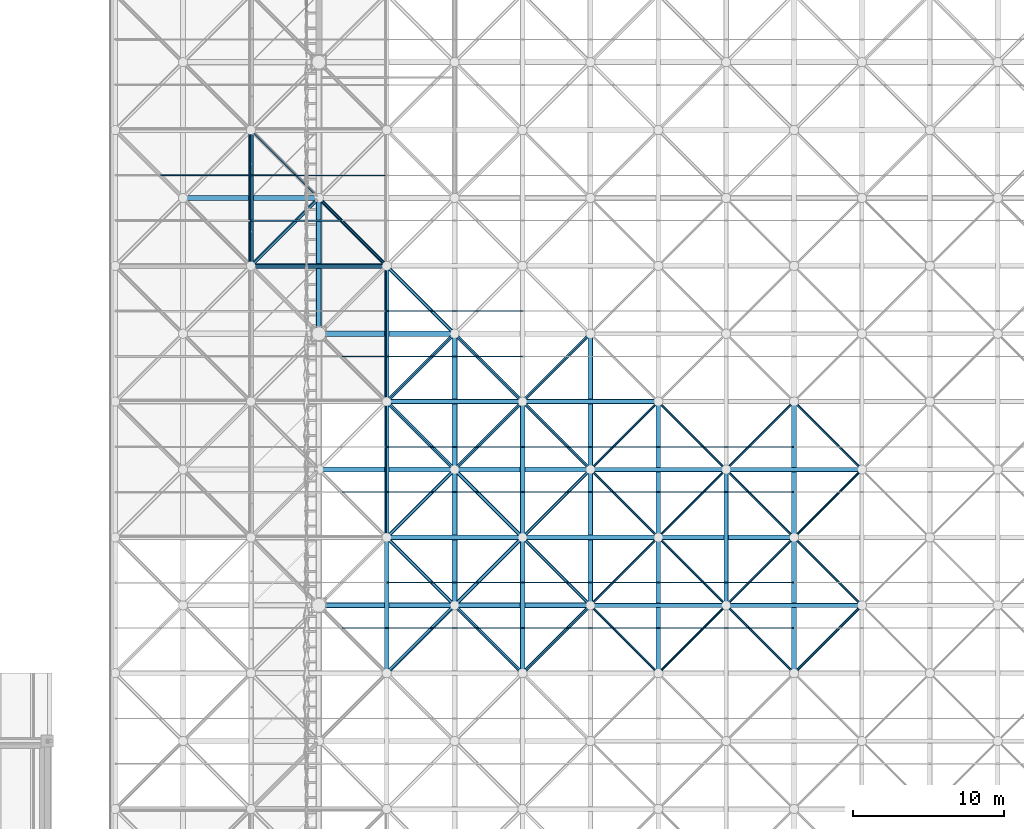
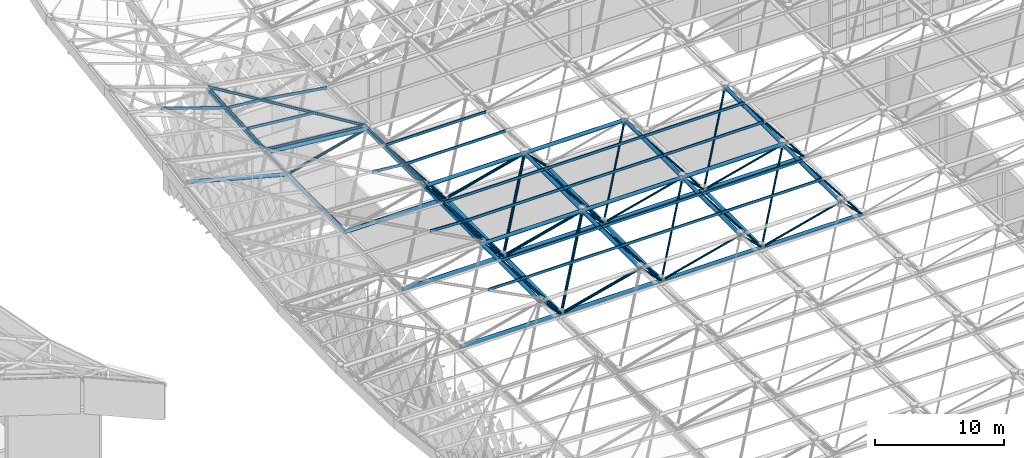
# One storey, part 82 of 437: 92 members.
"""IFC4 building model written with IfcOpenShell, lengths in metres."""

from ifc_helpers import new_model, si_unit, direction, frame, origin, origin_2d, place, context, subcontext, project, spatial, polyline, hollow_circle, outline, extrude, material, material_profile, profile_set, type_object, element, save


model = new_model("IFC4")

# Units and contexts
model_context = context("Model", 3, precision=1e-05, world=origin(), true_north=direction((0.0, 1.0)))
body_context = subcontext(model_context, "Body", "Model", "MODEL_VIEW")
ifc_project = project(units=[si_unit("LENGTHUNIT", "METRE"), si_unit("AREAUNIT", "SQUARE_METRE"), si_unit("VOLUMEUNIT", "CUBIC_METRE"), si_unit("PLANEANGLEUNIT", "RADIAN"), si_unit("MASSUNIT", "GRAM", prefix="KILO")], contexts=[model_context])

# Site, building, storey
site_placement = place(None, origin())
site = spatial("IfcSite", under=ifc_project, at=site_placement, CompositionType="ELEMENT")
building_placement = place(site_placement, origin())
building = spatial("IfcBuilding", under=site, at=building_placement, Name="Opaline Strait Convention Centre", CompositionType="ELEMENT")
storey_placement = place(building_placement, frame((0.0, 0.0, 11.5)))
storey = spatial("IfcBuildingStorey", under=building, at=storey_placement, Name="L02", CompositionType="ELEMENT", Elevation=11.5)

# Members
ifc_material = material(Name="Steel Q355B", Category="steel")
ifc_material_profile_1 = material_profile(ifc_material, outline(polyline([(-0.03759765625, -0.125), (0.03759765625, -0.125), (0.03759765625, -0.10498046875), (0.034912109375, -0.10498046875), (0.034912109375, -0.12255859375), (-0.034912109375, -0.12255859375), (-0.034912109375, 0.12255859375), (0.034912109375, 0.12255859375), (0.034912109375, 0.10498046875), (0.03759765625, 0.10498046875), (0.03759765625, 0.125), (-0.03759765625, 0.125), (-0.03759765625, -0.125)])), Name="C 250x75x20x2.5")
ifc_profile_set_1 = profile_set([ifc_material_profile_1], Name="Steel Q355B")
member_type_1 = type_object("IfcMemberType", Name="Roof purlin C 250x75x20x2.5", PredefinedType="PURLIN", material=ifc_profile_set_1)
member_1_placement = place(storey_placement, frame((100.550048828125, 106.5, 18.278564453125), z_axis=(0.999973480305, 0.0, -0.007282766388), x_axis=(0.0, 1.0, 0.0)))
element("IfcMember", 1, at=member_1_placement, inside=storey, type_object=member_type_1, Name="EXB-RF-P-1-7-0a", PredefinedType="PURLIN", context=body_context, shape_type="SweptSolid", body=[
    extrude(outline(polyline([(-0.03759765625, -0.125), (0.03759765625, -0.125), (0.03759765625, -0.10498046875), (0.034912109375, -0.10498046875), (0.034912109375, -0.12255859375), (-0.034912109375, -0.12255859375), (-0.034912109375, 0.12255859375), (0.034912109375, 0.12255859375), (0.034912109375, 0.10498046875), (0.03759765625, 0.10498046875), (0.03759765625, 0.125), (-0.03759765625, 0.125), (-0.03759765625, -0.125)])), origin(), (0.0, 0.0, 1.0), 2.949951171875),
])
for number, where, z_axis, x_axis, name in (
    (2, (103.5, 106.5, 18.257080078125), (1.0, 0.0, 0.0), (0.0, 1.0, 0.0), "EXB-RF-P-2-7-0"),
    (3, (103.5, 109.5, 18.257080078125), (1.0, 0.0, 0.0), (0.0, 1.0, 0.0), "EXB-RF-P-2-7-1"),
    (4, (112.5, 106.5, 18.257080078125), (1.0, 0.0, 0.0), (0.0, 1.0, 0.0), "EXB-RF-P-3-7-0"),
    (5, (112.5, 109.5, 18.257080078125), (1.0, 0.0, 0.0), (0.0, 1.0, 0.0), "EXB-RF-P-3-7-1"),
    (6, (121.5, 106.5, 18.257080078125), (1.0, 0.0, 0.0), (0.0, 1.0, 0.0), "EXB-RF-P-4-7-0"),
    (7, (121.5, 109.5, 18.257080078125), (1.0, 0.0, 0.0), (0.0, 1.0, 0.0), "EXB-RF-P-4-7-1"),
):
    element("IfcMember", number, at=place(storey_placement, frame(where, z_axis=z_axis, x_axis=x_axis)), inside=storey, type_object=member_type_1, Name=name, PredefinedType="PURLIN", context=body_context, shape_type="SweptSolid", body=[
        extrude(outline(polyline([(-0.03759765625, -0.125), (0.03759765625, -0.125), (0.03759765625, -0.10498046875), (0.034912109375, -0.10498046875), (0.034912109375, -0.12255859375), (-0.034912109375, -0.12255859375), (-0.034912109375, 0.12255859375), (0.034912109375, 0.12255859375), (0.034912109375, 0.10498046875), (0.03759765625, 0.10498046875), (0.03759765625, 0.125), (-0.03759765625, 0.125), (-0.03759765625, -0.125)])), origin(), (0.0, 0.0, 1.0), 9.0),
    ])
member_2_placement = place(storey_placement, frame((103.45458984375, 112.449951171875, 18.259033203125), z_axis=(0.0, 1.0, 0.0), x_axis=(-0.999004644434, 0.0, 0.044606282058)))
element("IfcMember", 8, at=member_2_placement, inside=storey, type_object=member_type_1, Name="EXB-RF-E-1-8a", PredefinedType="PURLIN", context=body_context, shape_type="SweptSolid", body=[
    extrude(outline(polyline([(-0.03759765625, -0.125), (0.03759765625, -0.125), (0.03759765625, -0.10498046875), (0.034912109375, -0.10498046875), (0.034912109375, -0.12255859375), (-0.034912109375, -0.12255859375), (-0.034912109375, 0.12255859375), (0.034912109375, 0.12255859375), (0.034912109375, 0.10498046875), (0.03759765625, 0.10498046875), (0.03759765625, 0.125), (-0.03759765625, 0.125), (-0.03759765625, -0.125)])), origin(), (0.0, 0.0, 1.0), 9.10009765625),
])
member_3_placement = place(storey_placement, frame((100.550048828125, 115.5, 18.388916015625), z_axis=(0.99900431847, 0.0, -0.044613581762), x_axis=(0.0, 1.0, 0.0)))
element("IfcMember", 9, at=member_3_placement, inside=storey, type_object=member_type_1, Name="EXB-RF-P-1-8-0a", PredefinedType="PURLIN", context=body_context, shape_type="SweptSolid", body=[
    extrude(outline(polyline([(-0.03759765625, -0.125), (0.03759765625, -0.125), (0.03759765625, -0.10498046875), (0.034912109375, -0.10498046875), (0.034912109375, -0.12255859375), (-0.034912109375, -0.12255859375), (-0.034912109375, 0.12255859375), (0.034912109375, 0.12255859375), (0.034912109375, 0.10498046875), (0.03759765625, 0.10498046875), (0.03759765625, 0.125), (-0.03759765625, 0.125), (-0.03759765625, -0.125)])), origin(), (0.0, 0.0, 1.0), 2.873046875),
])
for number, where, z_axis, x_axis, name in (
    (10, (103.5, 115.5, 18.257080078125), (1.0, 0.0, 0.0), (0.0, 1.0, 0.0), "EXB-RF-P-2-8-0"),
    (11, (103.5, 118.5, 18.257080078125), (1.0, 0.0, 0.0), (0.0, 1.0, 0.0), "EXB-RF-P-2-8-1"),
    (12, (112.5, 115.5, 18.257080078125), (1.0, 0.0, 0.0), (0.0, 1.0, 0.0), "EXB-RF-P-3-8-0"),
    (13, (112.5, 118.5, 18.257080078125), (1.0, 0.0, 0.0), (0.0, 1.0, 0.0), "EXB-RF-P-3-8-1"),
    (14, (121.5, 115.5, 18.257080078125), (1.0, 0.0, 0.0), (0.0, 1.0, 0.0), "EXB-RF-P-4-8-0"),
    (15, (121.5, 118.5, 18.257080078125), (1.0, 0.0, 0.0), (0.0, 1.0, 0.0), "EXB-RF-P-4-8-1"),
):
    element("IfcMember", number, at=place(storey_placement, frame(where, z_axis=z_axis, x_axis=x_axis)), inside=storey, type_object=member_type_1, Name=name, PredefinedType="PURLIN", context=body_context, shape_type="SweptSolid", body=[
        extrude(outline(polyline([(-0.03759765625, -0.125), (0.03759765625, -0.125), (0.03759765625, -0.10498046875), (0.034912109375, -0.10498046875), (0.034912109375, -0.12255859375), (-0.034912109375, -0.12255859375), (-0.034912109375, 0.12255859375), (0.034912109375, 0.12255859375), (0.034912109375, 0.10498046875), (0.03759765625, 0.10498046875), (0.03759765625, 0.125), (-0.03759765625, 0.125), (-0.03759765625, -0.125)])), origin(), (0.0, 0.0, 1.0), 9.0),
    ])
member_4_placement = place(storey_placement, frame((103.4482421875, 121.449951171875, 18.2626953125), z_axis=(0.0, 1.0, 0.0), x_axis=(-0.995149078082, 0.0, 0.098378414266)))
element("IfcMember", 16, at=member_4_placement, inside=storey, type_object=member_type_1, Name="EXB-RF-E-1-9a", PredefinedType="PURLIN", context=body_context, shape_type="SweptSolid", body=[
    extrude(outline(polyline([(-0.03759765625, -0.125), (0.03759765625, -0.125), (0.03759765625, -0.10498046875), (0.034912109375, -0.10498046875), (0.034912109375, -0.12255859375), (-0.034912109375, -0.12255859375), (-0.034912109375, 0.12255859375), (0.034912109375, 0.12255859375), (0.034912109375, 0.10498046875), (0.03759765625, 0.10498046875), (0.03759765625, 0.125), (-0.03759765625, 0.125), (-0.03759765625, -0.125)])), origin(), (0.0, 0.0, 1.0), 9.10009765625),
])
member_5_placement = place(storey_placement, frame((100.550048828125, 124.5, 18.54931640625), z_axis=(0.995144966284, 0.0, -0.098419998371), x_axis=(0.0, 1.0, 0.0)))
element("IfcMember", 17, at=member_5_placement, inside=storey, type_object=member_type_1, Name="EXB-RF-P-1-9-0a", PredefinedType="PURLIN", context=body_context, shape_type="SweptSolid", body=[
    extrude(outline(polyline([(-0.03759765625, -0.125), (0.03759765625, -0.125), (0.03759765625, -0.10498046875), (0.034912109375, -0.10498046875), (0.034912109375, -0.12255859375), (-0.034912109375, -0.12255859375), (-0.034912109375, 0.12255859375), (0.034912109375, 0.12255859375), (0.034912109375, 0.10498046875), (0.03759765625, 0.10498046875), (0.03759765625, 0.125), (-0.03759765625, 0.125), (-0.03759765625, -0.125)])), origin(), (0.0, 0.0, 1.0), 2.87744140625),
])
for number, where, z_axis, x_axis, name in (
    (18, (103.5, 124.5, 18.257080078125), (1.0, 0.0, 0.0), (0.0, 1.0, 0.0), "EXB-RF-P-2-9-0"),
    (19, (103.5, 127.5, 18.257080078125), (1.0, 0.0, 0.0), (0.0, 1.0, 0.0), "EXB-RF-P-2-9-1"),
):
    element("IfcMember", number, at=place(storey_placement, frame(where, z_axis=z_axis, x_axis=x_axis)), inside=storey, type_object=member_type_1, Name=name, PredefinedType="PURLIN", context=body_context, shape_type="SweptSolid", body=[
        extrude(outline(polyline([(-0.03759765625, -0.125), (0.03759765625, -0.125), (0.03759765625, -0.10498046875), (0.034912109375, -0.10498046875), (0.034912109375, -0.12255859375), (-0.034912109375, -0.12255859375), (-0.034912109375, 0.12255859375), (0.034912109375, 0.12255859375), (0.034912109375, 0.10498046875), (0.03759765625, 0.10498046875), (0.03759765625, 0.125), (-0.03759765625, 0.125), (-0.03759765625, -0.125)])), origin(), (0.0, 0.0, 1.0), 9.0),
    ])
member_6_placement = place(storey_placement, frame((94.421630859375, 130.449951171875, 19.177490234375), z_axis=(0.0, 0.998386467892, 0.056784335245), x_axis=(-0.947231539522, -0.018202228232, 0.320032950527)))
element("IfcMember", 20, at=member_6_placement, inside=storey, type_object=member_type_1, Name="EXB-RF-E-0-10a", PredefinedType="PURLIN", context=body_context, shape_type="SweptSolid", body=[
    extrude(outline(polyline([(-0.03759765625, -0.125), (0.03759765625, -0.125), (0.03759765625, -0.10498046875), (0.034912109375, -0.10498046875), (0.034912109375, -0.12255859375), (-0.034912109375, -0.12255859375), (-0.034912109375, 0.12255859375), (0.034912109375, 0.12255859375), (0.034912109375, 0.10498046875), (0.03759765625, 0.10498046875), (0.03759765625, 0.125), (-0.03759765625, 0.125), (-0.03759765625, -0.125)])), origin(), (0.0, 0.0, 1.0), 9.11474609375),
])
member_7_placement = place(storey_placement, frame((88.550048828125, 136.5, 21.511474609375), z_axis=(0.947082821832, 0.0, -0.320989296692), x_axis=(0.018222388517, 0.99838731392, 0.053765378829)))
element("IfcMember", 21, at=member_7_placement, inside=storey, type_object=member_type_1, Name="EXB-RF-P-0-10-1a", PredefinedType="PURLIN", context=body_context, shape_type="SweptSolid", body=[
    extrude(outline(polyline([(-0.03759765625, -0.125), (0.03759765625, -0.125), (0.03759765625, -0.10498046875), (0.034912109375, -0.10498046875), (0.034912109375, -0.12255859375), (-0.034912109375, -0.12255859375), (-0.034912109375, 0.12255859375), (0.034912109375, 0.12255859375), (0.034912109375, 0.10498046875), (0.03759765625, 0.10498046875), (0.03759765625, 0.125), (-0.03759765625, 0.125), (-0.03759765625, -0.125)])), origin(), (0.0, 0.0, 1.0), 6.1630859375),
])
member_8_placement = place(storey_placement, frame((103.5, 130.5, 18.255859375), z_axis=(-0.702857973456, 0.702857973456, 0.10945929974), x_axis=(-0.704515187221, -0.709082641772, 0.029328452286)))
element("IfcMember", 22, at=member_8_placement, inside=storey, type_object=member_type_1, Name="EXB-RF-F-1-10", PredefinedType="PURLIN", context=body_context, shape_type="SweptSolid", body=[
    extrude(outline(polyline([(-0.03759765625, -0.125), (0.03759765625, -0.125), (0.03759765625, -0.10498046875), (0.034912109375, -0.10498046875), (0.034912109375, -0.12255859375), (-0.034912109375, -0.12255859375), (-0.034912109375, 0.12255859375), (0.034912109375, 0.12255859375), (0.034912109375, 0.10498046875), (0.03759765625, 0.10498046875), (0.03759765625, 0.125), (-0.03759765625, 0.125), (-0.03759765625, -0.125)])), origin(), (0.0, 0.0, 1.0), 12.804931640625),
])
member_9_placement = place(storey_placement, frame((97.550048828125, 136.5, 19.18505859375), z_axis=(0.988090041888, 0.0, -0.15387679852), x_axis=(0.0, 1.0, 0.0)))
element("IfcMember", 23, at=member_9_placement, inside=storey, type_object=member_type_1, Name="EXB-RF-P-1-10-1a", PredefinedType="PURLIN", context=body_context, shape_type="SweptSolid", body=[
    extrude(outline(polyline([(-0.03759765625, -0.125), (0.03759765625, -0.125), (0.03759765625, -0.10498046875), (0.034912109375, -0.10498046875), (0.034912109375, -0.12255859375), (-0.034912109375, -0.12255859375), (-0.034912109375, 0.12255859375), (0.034912109375, 0.12255859375), (0.034912109375, 0.10498046875), (0.03759765625, 0.10498046875), (0.03759765625, 0.125), (-0.03759765625, 0.125), (-0.03759765625, -0.125)])), origin(), (0.0, 0.0, 1.0), 5.927490234375),
])
member_10_placement = place(storey_placement, frame((103.550048828125, 130.546875, 18.25537109375), z_axis=(-0.99514863855, 0.0, 0.098382860253), x_axis=(-0.005558054974, -0.998402930819, -0.056220065425)))
element("IfcMember", 24, at=member_10_placement, inside=storey, type_object=member_type_1, Name="EXB-RF-E-1-10b", PredefinedType="PURLIN", context=body_context, shape_type="SweptSolid", body=[
    extrude(outline(polyline([(-0.03759765625, -0.125), (0.03759765625, -0.125), (0.03759765625, -0.10498046875), (0.034912109375, -0.10498046875), (0.034912109375, -0.12255859375), (-0.034912109375, -0.12255859375), (-0.034912109375, 0.12255859375), (0.034912109375, 0.12255859375), (0.034912109375, 0.10498046875), (0.03759765625, 0.10498046875), (0.03759765625, 0.125), (-0.03759765625, 0.125), (-0.03759765625, -0.125)])), origin(), (0.0, 0.0, 1.0), 9.14453125),
])
member_11_placement = place(storey_placement, frame((94.5, 133.5, 19.31787109375), z_axis=(0.995150147401, 0.0, -0.098367596943), x_axis=(0.0055842752, 0.99838731392, 0.056494134867)))
element("IfcMember", 25, at=member_11_placement, inside=storey, type_object=member_type_1, Name="EXB-RF-P-1-10-0b", PredefinedType="PURLIN", context=body_context, shape_type="SweptSolid", body=[
    extrude(outline(polyline([(-0.03759765625, -0.125), (0.03759765625, -0.125), (0.03759765625, -0.10498046875), (0.034912109375, -0.10498046875), (0.034912109375, -0.12255859375), (-0.034912109375, -0.12255859375), (-0.034912109375, 0.12255859375), (0.034912109375, 0.12255859375), (0.034912109375, 0.10498046875), (0.03759765625, 0.10498046875), (0.03759765625, 0.125), (-0.03759765625, 0.125), (-0.03759765625, -0.125)])), origin(), (0.0, 0.0, 1.0), 5.97900390625),
])
member_12_placement = place(storey_placement, frame((94.5, 136.5, 19.488525390625), z_axis=(0.995153115332, 0.0, -0.098337566805), x_axis=(0.005582570405, 0.99838731392, 0.056494303355)))
element("IfcMember", 26, at=member_12_placement, inside=storey, type_object=member_type_1, Name="EXB-RF-P-1-10-1b", PredefinedType="PURLIN", context=body_context, shape_type="SweptSolid", body=[
    extrude(outline(polyline([(-0.03759765625, -0.125), (0.03759765625, -0.125), (0.03759765625, -0.10498046875), (0.034912109375, -0.10498046875), (0.034912109375, -0.12255859375), (-0.034912109375, -0.12255859375), (-0.034912109375, 0.12255859375), (0.034912109375, 0.12255859375), (0.034912109375, 0.10498046875), (0.03759765625, 0.10498046875), (0.03759765625, 0.125), (-0.03759765625, 0.125), (-0.03759765625, -0.125)])), origin(), (0.0, 0.0, 1.0), 2.96435546875),
])
ifc_material_profile_2 = material_profile(ifc_material, hollow_circle(Radius=0.1494140625, WallThickness=0.010009765625, at=origin_2d()), Name="CHS 299x10")
ifc_profile_set_2 = profile_set([ifc_material_profile_2], Name="Steel Q355B")
member_type_2 = type_object("IfcMemberType", Name="Space frame bottom chord CHS 299x10", PredefinedType="CHORD", material=ifc_profile_set_2)
for number, where, z_axis, x_axis, name in (
    (27, (116.949951171875, 108.0, 12.5), (1.0, 0.0, 0.0), (0.0, 1.0, 0.0), "EXB-RF-BX-3-7"),
    (28, (125.949951171875, 108.0, 12.5), (1.0, 0.0, 0.0), (0.0, 1.0, 0.0), "EXB-RF-BX-4-7"),
    (29, (116.949951171875, 117.0, 12.5), (1.0, 0.0, 0.0), (0.0, 1.0, 0.0), "EXB-RF-BX-3-8"),
    (30, (125.949951171875, 117.0, 12.5), (1.0, 0.0, 0.0), (0.0, 1.0, 0.0), "EXB-RF-BX-4-8"),
    (31, (126.0, 107.949951171875, 12.5), (0.0, 1.0, 0.0), (-1.0, 0.0, 0.0), "EXB-RF-BY-4-7"),
):
    element("IfcMember", number, at=place(storey_placement, frame(where, z_axis=z_axis, x_axis=x_axis)), inside=storey, type_object=member_type_2, Name=name, PredefinedType="CHORD", context=body_context, shape_type="SweptSolid", body=[
        extrude(hollow_circle(Radius=0.1494140625, WallThickness=0.010009765625, at=origin_2d()), origin(), (0.0, 0.0, 1.0), 9.10009765625),
    ])
ifc_material_profile_3 = material_profile(ifc_material, hollow_circle(Radius=0.16259765625, WallThickness=0.013916015625, at=origin_2d()), Name="CHS 325x14")
ifc_profile_set_3 = profile_set([ifc_material_profile_3], Name="Steel Q355B")
member_type_3 = type_object("IfcMemberType", Name="Space frame bottom chord CHS 325x14", PredefinedType="CHORD", material=ifc_profile_set_3)
for number, where, z_axis, x_axis, name in (
    (32, (107.949951171875, 117.0, 12.5), (1.0, 0.0, 0.0), (0.0, 1.0, 0.0), "EXB-RF-BX-2-8"),
    (33, (117.0, 107.949951171875, 12.5), (0.0, 1.0, 0.0), (-1.0, 0.0, 0.0), "EXB-RF-BY-3-7"),
    (34, (117.0, 116.949951171875, 12.5), (0.0, 1.0, 0.0), (-1.0, 0.0, 0.0), "EXB-RF-BY-3-8"),
):
    element("IfcMember", number, at=place(storey_placement, frame(where, z_axis=z_axis, x_axis=x_axis)), inside=storey, type_object=member_type_3, Name=name, PredefinedType="CHORD", context=body_context, shape_type="SweptSolid", body=[
        extrude(hollow_circle(Radius=0.16259765625, WallThickness=0.013916015625, at=origin_2d()), origin(), (0.0, 0.0, 1.0), 9.10009765625),
    ])
ifc_material_profile_4 = material_profile(ifc_material, hollow_circle(Radius=0.175537109375, WallThickness=0.01611328125, at=origin_2d()), Name="CHS 351x16")
ifc_profile_set_4 = profile_set([ifc_material_profile_4], Name="Steel Q355B")
member_type_4 = type_object("IfcMemberType", Name="Space frame bottom chord CHS 351x16", PredefinedType="CHORD", material=ifc_profile_set_4)
for number, where, z_axis, x_axis, name in (
    (35, (98.949951171875, 108.0, 12.5), (1.0, 0.0, 0.0), (0.0, 1.0, 0.0), "EXB-RF-BX-1-7"),
    (36, (107.949951171875, 108.0, 12.5), (1.0, 0.0, 0.0), (0.0, 1.0, 0.0), "EXB-RF-BX-2-7"),
    (37, (98.949951171875, 117.0, 12.5), (1.0, 0.0, 0.0), (0.0, 1.0, 0.0), "EXB-RF-BX-1-8"),
    (38, (98.949951171875, 126.0, 12.5), (1.0, 0.0, 0.0), (0.0, 1.0, 0.0), "EXB-RF-BX-1-9"),
):
    element("IfcMember", number, at=place(storey_placement, frame(where, z_axis=z_axis, x_axis=x_axis)), inside=storey, type_object=member_type_4, Name=name, PredefinedType="CHORD", context=body_context, shape_type="SweptSolid", body=[
        extrude(hollow_circle(Radius=0.175537109375, WallThickness=0.01611328125, at=origin_2d()), origin(), (0.0, 0.0, 1.0), 9.10009765625),
    ])
member_13_placement = place(storey_placement, frame((89.95166015625, 135.0, 14.923828125), z_axis=(0.965943886193, 0.0, -0.258751635215), x_axis=(0.0, 1.0, 0.0)))
element("IfcMember", 39, at=member_13_placement, inside=storey, type_object=member_type_4, Name="EXB-RF-BX-0-10", PredefinedType="CHORD", context=body_context, shape_type="SweptSolid", body=[
    extrude(hollow_circle(Radius=0.175537109375, WallThickness=0.01611328125, at=origin_2d()), origin(), (0.0, 0.0, 1.0), 9.41748046875),
])
for number, where, z_axis, x_axis, name in (
    (40, (99.0, 125.949951171875, 12.5), (0.0, 1.0, 0.0), (-1.0, 0.0, 0.0), "EXB-RF-BY-1-9"),
    (41, (108.0, 107.949951171875, 12.5), (0.0, 1.0, 0.0), (-1.0, 0.0, 0.0), "EXB-RF-BY-2-7"),
    (42, (108.0, 116.949951171875, 12.5), (0.0, 1.0, 0.0), (-1.0, 0.0, 0.0), "EXB-RF-BY-2-8"),
):
    element("IfcMember", number, at=place(storey_placement, frame(where, z_axis=z_axis, x_axis=x_axis)), inside=storey, type_object=member_type_4, Name=name, PredefinedType="CHORD", context=body_context, shape_type="SweptSolid", body=[
        extrude(hollow_circle(Radius=0.175537109375, WallThickness=0.01611328125, at=origin_2d()), origin(), (0.0, 0.0, 1.0), 9.10009765625),
    ])
ifc_material_profile_5 = material_profile(ifc_material, hollow_circle(Radius=0.16259765625, WallThickness=0.010009765625, at=origin_2d()), Name="CHS 325x10")
ifc_profile_set_5 = profile_set([ifc_material_profile_5], Name="Steel Q355B")
member_type_5 = type_object("IfcMemberType", Name="Space frame top chord CHS 325x10", PredefinedType="CHORD", material=ifc_profile_set_5)
for number, where, z_axis, x_axis, name in (
    (43, (121.449951171875, 112.5, 17.971435546875), (1.0, 0.0, 0.0), (0.0, 1.0, 0.0), "EXB-RF-TX-4-8"),
    (44, (121.5, 103.449951171875, 17.971435546875), (0.0, 1.0, 0.0), (-1.0, 0.0, 0.0), "EXB-RF-TY-4-7"),
    (45, (121.5, 112.449951171875, 17.971435546875), (0.0, 1.0, 0.0), (-1.0, 0.0, 0.0), "EXB-RF-TY-4-8"),
    (46, (130.5, 103.449951171875, 17.971435546875), (0.0, 1.0, 0.0), (-1.0, 0.0, 0.0), "EXB-RF-TY-5-7"),
    (47, (130.5, 112.449951171875, 17.971435546875), (0.0, 1.0, 0.0), (-1.0, 0.0, 0.0), "EXB-RF-TY-5-8"),
):
    element("IfcMember", number, at=place(storey_placement, frame(where, z_axis=z_axis, x_axis=x_axis)), inside=storey, type_object=member_type_5, Name=name, PredefinedType="CHORD", context=body_context, shape_type="SweptSolid", body=[
        extrude(hollow_circle(Radius=0.16259765625, WallThickness=0.010009765625, at=origin_2d()), origin(), (0.0, 0.0, 1.0), 9.10009765625),
    ])
ifc_material_profile_6 = material_profile(ifc_material, hollow_circle(Radius=0.16259765625, WallThickness=0.013916015625, at=origin_2d()), Name="CHS 325x14")
ifc_profile_set_6 = profile_set([ifc_material_profile_6], Name="Steel Q355B")
member_type_6 = type_object("IfcMemberType", Name="Space frame top chord CHS 325x14", PredefinedType="CHORD", material=ifc_profile_set_6)
for number, where, z_axis, x_axis, name in (
    (48, (112.449951171875, 112.5, 17.971435546875), (1.0, 0.0, 0.0), (0.0, 1.0, 0.0), "EXB-RF-TX-3-8"),
    (49, (112.449951171875, 121.5, 17.971435546875), (1.0, 0.0, 0.0), (0.0, 1.0, 0.0), "EXB-RF-TX-3-9"),
    (50, (112.5, 112.449951171875, 17.971435546875), (0.0, 1.0, 0.0), (-1.0, 0.0, 0.0), "EXB-RF-TY-3-8"),
):
    element("IfcMember", number, at=place(storey_placement, frame(where, z_axis=z_axis, x_axis=x_axis)), inside=storey, type_object=member_type_6, Name=name, PredefinedType="CHORD", context=body_context, shape_type="SweptSolid", body=[
        extrude(hollow_circle(Radius=0.16259765625, WallThickness=0.013916015625, at=origin_2d()), origin(), (0.0, 0.0, 1.0), 9.10009765625),
    ])
ifc_material_profile_7 = material_profile(ifc_material, hollow_circle(Radius=0.16259765625, WallThickness=0.02001953125, at=origin_2d()), Name="CHS 325x20")
ifc_profile_set_7 = profile_set([ifc_material_profile_7], Name="Steel Q355B")
member_type_7 = type_object("IfcMemberType", Name="Space frame top chord CHS 325x20", PredefinedType="CHORD", material=ifc_profile_set_7)
for number, where, z_axis, x_axis, name in (
    (51, (103.449951171875, 112.5, 17.971435546875), (1.0, 0.0, 0.0), (0.0, 1.0, 0.0), "EXB-RF-TX-2-8"),
    (52, (103.449951171875, 121.5, 17.971435546875), (1.0, 0.0, 0.0), (0.0, 1.0, 0.0), "EXB-RF-TX-2-9"),
):
    element("IfcMember", number, at=place(storey_placement, frame(where, z_axis=z_axis, x_axis=x_axis)), inside=storey, type_object=member_type_7, Name=name, PredefinedType="CHORD", context=body_context, shape_type="SweptSolid", body=[
        extrude(hollow_circle(Radius=0.16259765625, WallThickness=0.02001953125, at=origin_2d()), origin(), (0.0, 0.0, 1.0), 9.10009765625),
    ])
member_14_placement = place(storey_placement, frame((94.4501953125, 130.5, 18.8662109375), z_axis=(0.995148121675, 0.0, -0.098388088334), x_axis=(0.0, 1.0, 0.0)))
element("IfcMember", 53, at=member_14_placement, inside=storey, type_object=member_type_7, Name="EXB-RF-TX-1-10", PredefinedType="CHORD", context=body_context, shape_type="SweptSolid", body=[
    extrude(hollow_circle(Radius=0.16259765625, WallThickness=0.02001953125, at=origin_2d()), origin(), (0.0, 0.0, 1.0), 9.14404296875),
])
member_15_placement = place(storey_placement, frame((94.5, 130.4501953125, 18.8583984375), z_axis=(0.0, 0.998387813469, 0.056760672267), x_axis=(-1.0, 0.0, 0.0)))
element("IfcMember", 54, at=member_15_placement, inside=storey, type_object=member_type_7, Name="EXB-RF-TY-1-10", PredefinedType="CHORD", context=body_context, shape_type="SweptSolid", body=[
    extrude(hollow_circle(Radius=0.16259765625, WallThickness=0.02001953125, at=origin_2d()), origin(), (0.0, 0.0, 1.0), 9.1142578125),
])
for number, where, z_axis, x_axis, name in (
    (55, (103.5, 103.449951171875, 17.971435546875), (0.0, 1.0, 0.0), (-1.0, 0.0, 0.0), "EXB-RF-TY-2-7"),
    (56, (103.5, 112.449951171875, 17.971435546875), (0.0, 1.0, 0.0), (-1.0, 0.0, 0.0), "EXB-RF-TY-2-8"),
    (57, (103.5, 121.449951171875, 17.971435546875), (0.0, 1.0, 0.0), (-1.0, 0.0, 0.0), "EXB-RF-TY-2-9"),
    (58, (112.5, 103.449951171875, 17.971435546875), (0.0, 1.0, 0.0), (-1.0, 0.0, 0.0), "EXB-RF-TY-3-7"),
):
    element("IfcMember", number, at=place(storey_placement, frame(where, z_axis=z_axis, x_axis=x_axis)), inside=storey, type_object=member_type_7, Name=name, PredefinedType="CHORD", context=body_context, shape_type="SweptSolid", body=[
        extrude(hollow_circle(Radius=0.16259765625, WallThickness=0.02001953125, at=origin_2d()), origin(), (0.0, 0.0, 1.0), 9.10009765625),
    ])
ifc_material_profile_8 = material_profile(ifc_material, hollow_circle(Radius=0.083984375, WallThickness=0.008056640625, at=origin_2d()), Name="CHS 168x8")
ifc_profile_set_8 = profile_set([ifc_material_profile_8], Name="Steel Q355B")
member_type_8 = type_object("IfcMemberType", Name="Space frame web CHS 168x8", PredefinedType="BRACE", material=ifc_profile_set_8)
for number, where, z_axis, x_axis, name in (
    (59, (121.52685546875, 103.47314453125, 18.004150390625), (-0.536178220346, 0.536178220346, -0.6519400525), (-0.707106781187, -0.707106781187, 0.0), "EXB-RF-W-3-7-10"),
    (60, (121.52685546875, 112.52685546875, 18.004150390625), (-0.536178220346, -0.536178220346, -0.6519400525), (0.707106781187, -0.707106781187, 0.0), "EXB-RF-W-3-7-11"),
    (61, (121.52685546875, 112.47314453125, 18.004150390625), (-0.536178220346, 0.536178220346, -0.6519400525), (-0.707106781187, -0.707106781187, 0.0), "EXB-RF-W-3-8-10"),
    (62, (121.52685546875, 121.52685546875, 18.004150390625), (-0.536178220346, -0.536178220346, -0.6519400525), (0.707106781187, -0.707106781187, 0.0), "EXB-RF-W-3-8-11"),
    (63, (121.47314453125, 103.47314453125, 18.004150390625), (0.536178220346, 0.536178220346, -0.6519400525), (-0.707106781187, 0.707106781187, 0.0), "EXB-RF-W-4-7-00"),
    (64, (121.47314453125, 112.52685546875, 18.004150390625), (0.536178220346, -0.536178220346, -0.6519400525), (0.707106781187, 0.707106781187, 0.0), "EXB-RF-W-4-7-01"),
    (65, (130.52685546875, 103.47314453125, 18.004150390625), (-0.536178220346, 0.536178220346, -0.6519400525), (-0.707106781187, -0.707106781187, 0.0), "EXB-RF-W-4-7-10"),
    (66, (130.52685546875, 112.52685546875, 18.004150390625), (-0.536178220346, -0.536178220346, -0.6519400525), (0.707106781187, -0.707106781187, 0.0), "EXB-RF-W-4-7-11"),
    (67, (121.47314453125, 112.47314453125, 18.004150390625), (0.536178220346, 0.536178220346, -0.6519400525), (-0.707106781187, 0.707106781187, 0.0), "EXB-RF-W-4-8-00"),
    (68, (121.47314453125, 121.52685546875, 18.004150390625), (0.536178220346, -0.536178220346, -0.6519400525), (0.707106781187, 0.707106781187, 0.0), "EXB-RF-W-4-8-01"),
    (69, (130.52685546875, 112.47314453125, 18.004150390625), (-0.536178220346, 0.536178220346, -0.6519400525), (-0.707106781187, -0.707106781187, 0.0), "EXB-RF-W-4-8-10"),
    (70, (130.52685546875, 121.52685546875, 18.004150390625), (-0.536178220346, -0.536178220346, -0.6519400525), (0.707106781187, -0.707106781187, 0.0), "EXB-RF-W-4-8-11"),
    (71, (130.47314453125, 103.47314453125, 18.004150390625), (0.536178220346, 0.536178220346, -0.6519400525), (-0.707106781187, 0.707106781187, 0.0), "EXB-RF-W-5-7-00"),
    (72, (130.47314453125, 112.52685546875, 18.004150390625), (0.536178220346, -0.536178220346, -0.6519400525), (0.707106781187, 0.707106781187, 0.0), "EXB-RF-W-5-7-01"),
    (73, (130.47314453125, 112.47314453125, 18.004150390625), (0.536178220346, 0.536178220346, -0.6519400525), (-0.707106781187, 0.707106781187, 0.0), "EXB-RF-W-5-8-00"),
    (74, (130.47314453125, 121.52685546875, 18.004150390625), (0.536178220346, -0.536178220346, -0.6519400525), (0.707106781187, 0.707106781187, 0.0), "EXB-RF-W-5-8-01"),
):
    element("IfcMember", number, at=place(storey_placement, frame(where, z_axis=z_axis, x_axis=x_axis)), inside=storey, type_object=member_type_8, Name=name, PredefinedType="BRACE", context=body_context, shape_type="SweptSolid", body=[
        extrude(hollow_circle(Radius=0.083984375, WallThickness=0.008056640625, at=origin_2d()), origin(), (0.0, 0.0, 1.0), 8.492919921875),
    ])
ifc_material_profile_9 = material_profile(ifc_material, hollow_circle(Radius=0.109619140625, WallThickness=0.010009765625, at=origin_2d()), Name="CHS 219x10")
ifc_profile_set_9 = profile_set([ifc_material_profile_9], Name="Steel Q355B")
member_type_9 = type_object("IfcMemberType", Name="Space frame web CHS 219x10", PredefinedType="BRACE", material=ifc_profile_set_9)
for number, where, z_axis, x_axis, name in (
    (75, (112.47314453125, 103.47314453125, 18.004150390625), (0.536178220346, 0.536178220346, -0.6519400525), (-0.707106781187, 0.707106781187, 0.0), "EXB-RF-W-3-7-00"),
    (76, (112.47314453125, 112.52685546875, 18.004150390625), (0.536178220346, -0.536178220346, -0.6519400525), (0.707106781187, 0.707106781187, 0.0), "EXB-RF-W-3-7-01"),
    (77, (112.47314453125, 112.47314453125, 18.004150390625), (0.536178220346, 0.536178220346, -0.6519400525), (-0.707106781187, 0.707106781187, 0.0), "EXB-RF-W-3-8-00"),
    (78, (112.47314453125, 121.52685546875, 18.004150390625), (0.536178220346, -0.536178220346, -0.6519400525), (0.707106781187, 0.707106781187, 0.0), "EXB-RF-W-3-8-01"),
    (79, (112.47314453125, 121.47314453125, 18.004150390625), (0.536178220346, 0.536178220346, -0.6519400525), (-0.707106781187, 0.707106781187, 0.0), "EXB-RF-W-3-9-00"),
):
    element("IfcMember", number, at=place(storey_placement, frame(where, z_axis=z_axis, x_axis=x_axis)), inside=storey, type_object=member_type_9, Name=name, PredefinedType="BRACE", context=body_context, shape_type="SweptSolid", body=[
        extrude(hollow_circle(Radius=0.109619140625, WallThickness=0.010009765625, at=origin_2d()), origin(), (0.0, 0.0, 1.0), 8.492919921875),
    ])
ifc_material_profile_10 = material_profile(ifc_material, hollow_circle(Radius=0.12255859375, WallThickness=0.011962890625, at=origin_2d()), Name="CHS 245x12")
ifc_profile_set_10 = profile_set([ifc_material_profile_10], Name="Steel Q355B")
member_type_10 = type_object("IfcMemberType", Name="Space frame web CHS 245x12", PredefinedType="BRACE", material=ifc_profile_set_10)
member_16_placement = place(storey_placement, frame((94.47509765625, 130.47509765625, 18.896484375), z_axis=(0.50009756062, 0.50009756062, -0.706968782708), x_axis=(-0.707106781187, 0.707106781187, 0.0)))
element("IfcMember", 80, at=member_16_placement, inside=storey, type_object=member_type_10, Name="EXB-RF-W-1-10-00", PredefinedType="BRACE", context=body_context, shape_type="SweptSolid", body=[
    extrude(hollow_circle(Radius=0.12255859375, WallThickness=0.011962890625, at=origin_2d()), origin(), (0.0, 0.0, 1.0), 9.097900390625),
])
for number, where, z_axis, x_axis, name in (
    (81, (103.52685546875, 130.47314453125, 18.004150390625), (-0.536178220346, 0.536178220346, -0.6519400525), (-0.707106781187, -0.707106781187, 0.0), "EXB-RF-W-1-10-10"),
    (82, (103.47314453125, 103.47314453125, 18.004150390625), (0.536178220346, 0.536178220346, -0.6519400525), (-0.707106781187, 0.707106781187, 0.0), "EXB-RF-W-2-7-00"),
    (83, (103.47314453125, 112.52685546875, 18.004150390625), (0.536178220346, -0.536178220346, -0.6519400525), (0.707106781187, 0.707106781187, 0.0), "EXB-RF-W-2-7-01"),
    (84, (112.52685546875, 103.47314453125, 18.004150390625), (-0.536178220346, 0.536178220346, -0.6519400525), (-0.707106781187, -0.707106781187, 0.0), "EXB-RF-W-2-7-10"),
    (85, (112.52685546875, 112.52685546875, 18.004150390625), (-0.536178220346, -0.536178220346, -0.6519400525), (0.707106781187, -0.707106781187, 0.0), "EXB-RF-W-2-7-11"),
    (86, (103.47314453125, 112.47314453125, 18.004150390625), (0.536178220346, 0.536178220346, -0.6519400525), (-0.707106781187, 0.707106781187, 0.0), "EXB-RF-W-2-8-00"),
    (87, (103.47314453125, 121.52685546875, 18.004150390625), (0.536178220346, -0.536178220346, -0.6519400525), (0.707106781187, 0.707106781187, 0.0), "EXB-RF-W-2-8-01"),
    (88, (112.52685546875, 112.47314453125, 18.004150390625), (-0.536178220346, 0.536178220346, -0.6519400525), (-0.707106781187, -0.707106781187, 0.0), "EXB-RF-W-2-8-10"),
    (89, (112.52685546875, 121.52685546875, 18.004150390625), (-0.536178220346, -0.536178220346, -0.6519400525), (0.707106781187, -0.707106781187, 0.0), "EXB-RF-W-2-8-11"),
    (90, (103.47314453125, 121.47314453125, 18.004150390625), (0.536178220346, 0.536178220346, -0.6519400525), (-0.707106781187, 0.707106781187, 0.0), "EXB-RF-W-2-9-00"),
    (91, (103.47314453125, 130.52685546875, 18.004150390625), (0.536178220346, -0.536178220346, -0.6519400525), (0.707106781187, 0.707106781187, 0.0), "EXB-RF-W-2-9-01"),
    (92, (112.52685546875, 121.47314453125, 18.004150390625), (-0.536178220346, 0.536178220346, -0.6519400525), (-0.707106781187, -0.707106781187, 0.0), "EXB-RF-W-2-9-10"),
):
    element("IfcMember", number, at=place(storey_placement, frame(where, z_axis=z_axis, x_axis=x_axis)), inside=storey, type_object=member_type_10, Name=name, PredefinedType="BRACE", context=body_context, shape_type="SweptSolid", body=[
        extrude(hollow_circle(Radius=0.12255859375, WallThickness=0.011962890625, at=origin_2d()), origin(), (0.0, 0.0, 1.0), 8.492919921875),
    ])

save(model, "model.ifc")
